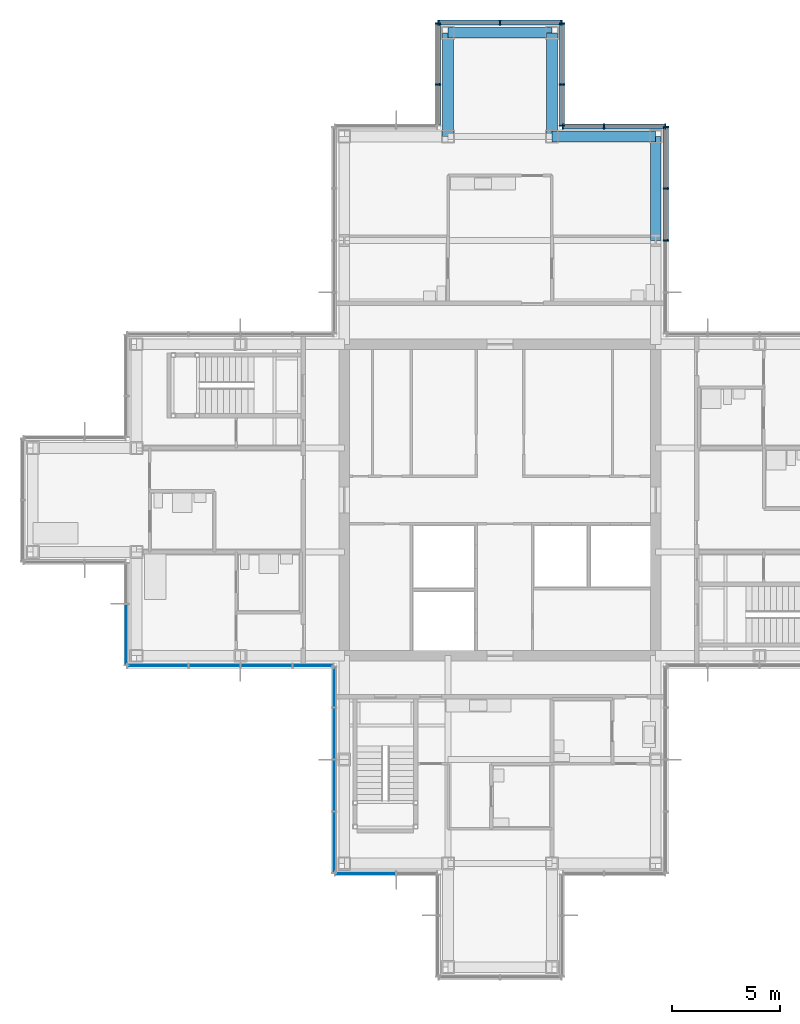
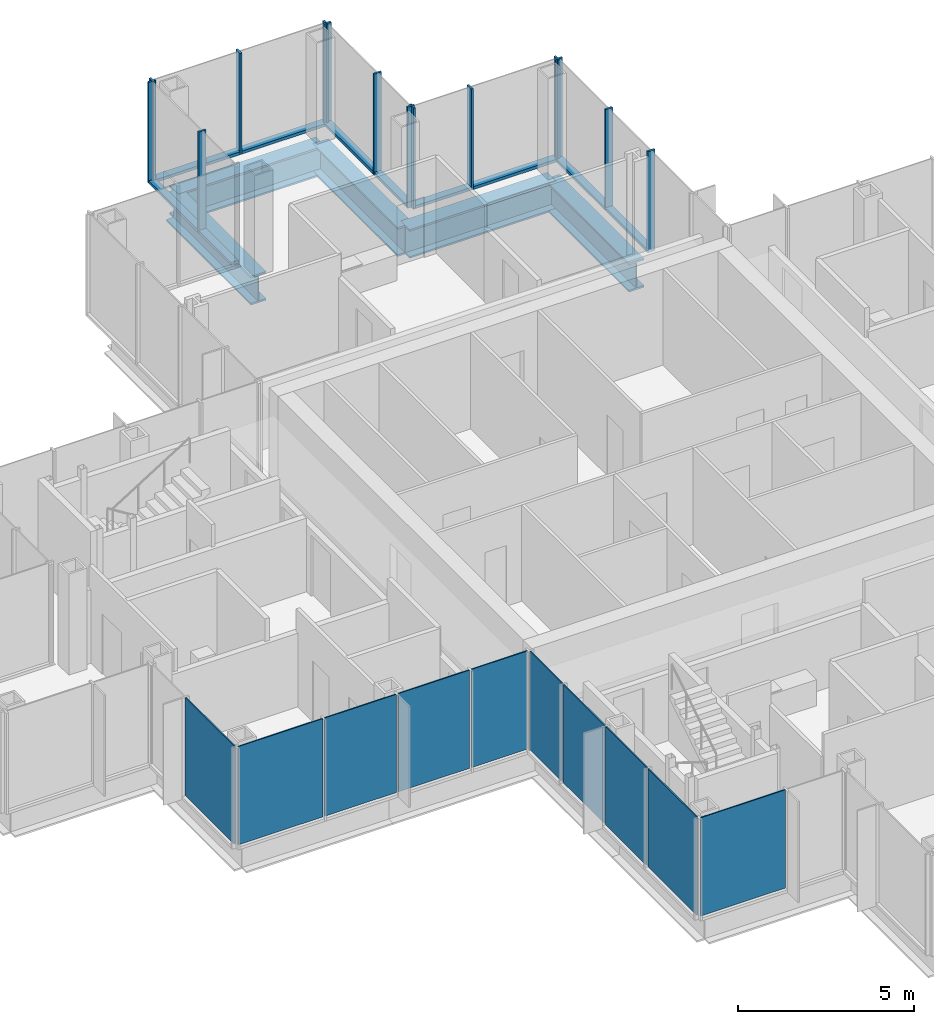
# One storey, part 9 of 17: 24 members, 10 plates, 5 beams, 9 elements without a shape of their own.
"""IFC4 building model written with IfcOpenShell, lengths in metres."""

from ifc_helpers import new_model, si_unit, direction, frame, origin, origin_2d, place, context, subcontext, project, spatial, rectangle, i_section, extrude, material, layer, layer_set, material_profile, profile_set, type_object, element, aggregate, save


model = new_model("IFC4")

# Units and contexts
model_context = context("Model", 3, precision=1e-05, world=origin(), true_north=direction((0.0, 1.0)))
body_context = subcontext(model_context, "Body", "Model", "MODEL_VIEW")
ifc_project = project(units=[si_unit("LENGTHUNIT", "METRE"), si_unit("AREAUNIT", "SQUARE_METRE"), si_unit("VOLUMEUNIT", "CUBIC_METRE"), si_unit("PLANEANGLEUNIT", "RADIAN"), si_unit("MASSUNIT", "GRAM", prefix="KILO")], contexts=[model_context])

# Site, building, storey
site_placement = place(None, origin())
site = spatial("IfcSite", under=ifc_project, at=site_placement, CompositionType="ELEMENT")
building_placement = place(site_placement, origin())
building = spatial("IfcBuilding", under=site, at=building_placement, Name="Kvirike Care Tower", CompositionType="ELEMENT")
storey_placement = place(building_placement, frame((0.0, 0.0, 162.0)))
storey = spatial("IfcBuildingStorey", under=building, at=storey_placement, Name="L44", CompositionType="ELEMENT", Elevation=162.0)

# Curtain wall, members
ifc_material_1 = material(Name="Anodised aluminium stick system", Category="aluminium")
curtain_wall_type = type_object("IfcCurtainWallType", Name="CW-C STICK CURTAIN WALL", PredefinedType="NOTDEFINED", material=ifc_material_1)
curtain_wall_1_placement = place(storey_placement, origin())
curtain_wall_1 = element("IfcCurtainWall", 1, at=curtain_wall_1_placement, inside=storey, type_object=curtain_wall_type, Name="Curtain wall L44 face 8", PredefinedType="NOTDEFINED")
ifc_material_2 = material(Name="Bronze anodised aluminium mullion", Category="aluminium")
ifc_material_profile_1 = material_profile(ifc_material_2, rectangle(XDim=0.06494140625, YDim=0.239990234375, at=origin_2d()), Name="CW-C MULLION 65x240")
ifc_profile_set_1 = profile_set([ifc_material_profile_1], Name="Bronze anodised aluminium mullion")
member_type_1 = type_object("IfcMemberType", Name="CW-C MULLION 65x240", PredefinedType="MULLION", material=ifc_profile_set_1)
member_1_placement = place(storey_placement, frame((29.27001953125, 48.0, 0.0), z_axis=(0.0, 0.0, 1.0), x_axis=(0.0, 1.0, 0.0)))
member_1 = element("IfcMember", 2, at=member_1_placement, type_object=member_type_1, Name="CW-C mullion L44 face 8.3", PredefinedType="MULLION", context=body_context, shape_type="SweptSolid", body=[
    extrude(rectangle(XDim=0.06494140625, YDim=0.239990234375, at=origin_2d()), origin(), (0.0, 0.0, 1.0), 3.5),
])
member_2_placement = place(storey_placement, frame((29.27001953125, 50.39990234375, 0.0), z_axis=(0.0, 0.0, 1.0), x_axis=(0.0, 1.0, 0.0)))
member_2 = element("IfcMember", 3, at=member_2_placement, type_object=member_type_1, Name="CW-C mullion L44 face 8.4", PredefinedType="MULLION", context=body_context, shape_type="SweptSolid", body=[
    extrude(rectangle(XDim=0.06494140625, YDim=0.239990234375, at=origin_2d()), origin(), (0.0, 0.0, 1.0), 3.5),
])
member_3_placement = place(storey_placement, frame((29.27001953125, 53.237548828125, 0.0), z_axis=(0.0, 0.0, 1.0), x_axis=(0.0, 1.0, 0.0)))
member_3 = element("IfcMember", 4, at=member_3_placement, type_object=member_type_1, Name="CW-C mullion L44 face 8.5", PredefinedType="MULLION", context=body_context, shape_type="SweptSolid", body=[
    extrude(rectangle(XDim=0.06494140625, YDim=0.239990234375, at=origin_2d()), origin(), (0.0, 0.0, 1.0), 3.5),
])

curtain_wall_2_placement = place(storey_placement, origin())
curtain_wall_2 = element("IfcCurtainWall", 5, at=curtain_wall_2_placement, inside=storey, type_object=curtain_wall_type, Name="Curtain wall L44 face 9", PredefinedType="NOTDEFINED")
member_4_placement = place(storey_placement, frame((29.237548828125, 53.27001953125, 0.0), z_axis=(0.0, 0.0, 1.0), x_axis=(-1.0, 0.0, 0.0)))
member_4 = element("IfcMember", 6, at=member_4_placement, type_object=member_type_1, Name="CW-C mullion L44 face 9.1", PredefinedType="MULLION", context=body_context, shape_type="SweptSolid", body=[
    extrude(rectangle(XDim=0.06494140625, YDim=0.239990234375, at=origin_2d()), origin(), (0.0, 0.0, 1.0), 3.5),
])
member_5_placement = place(storey_placement, frame((26.39990234375, 53.27001953125, 0.0), z_axis=(0.0, 0.0, 1.0), x_axis=(-1.0, 0.0, 0.0)))
member_5 = element("IfcMember", 7, at=member_5_placement, type_object=member_type_1, Name="CW-C mullion L44 face 9.2", PredefinedType="MULLION", context=body_context, shape_type="SweptSolid", body=[
    extrude(rectangle(XDim=0.06494140625, YDim=0.239990234375, at=origin_2d()), origin(), (0.0, 0.0, 1.0), 3.5),
])
member_6_placement = place(storey_placement, frame((24.50244140625, 53.27001953125, 0.0), z_axis=(0.0, 0.0, 1.0), x_axis=(-1.0, 0.0, 0.0)))
member_6 = element("IfcMember", 8, at=member_6_placement, type_object=member_type_1, Name="CW-C mullion L44 face 9.3", PredefinedType="MULLION", context=body_context, shape_type="SweptSolid", body=[
    extrude(rectangle(XDim=0.06494140625, YDim=0.239990234375, at=origin_2d()), origin(), (0.0, 0.0, 1.0), 3.5),
])

curtain_wall_3_placement = place(storey_placement, origin())
curtain_wall_3 = element("IfcCurtainWall", 9, at=curtain_wall_3_placement, inside=storey, type_object=curtain_wall_type, Name="Curtain wall L44 face 10", PredefinedType="NOTDEFINED")
member_7_placement = place(storey_placement, frame((24.469970703125, 53.302490234375, 0.0), z_axis=(0.0, 0.0, 1.0), x_axis=(0.0, 1.0, 0.0)))
member_7 = element("IfcMember", 10, at=member_7_placement, type_object=member_type_1, Name="CW-C mullion L44 face 10.1", PredefinedType="MULLION", context=body_context, shape_type="SweptSolid", body=[
    extrude(rectangle(XDim=0.06494140625, YDim=0.239990234375, at=origin_2d()), origin(), (0.0, 0.0, 1.0), 3.5),
])
member_8_placement = place(storey_placement, frame((24.469970703125, 55.199951171875, 0.0), z_axis=(0.0, 0.0, 1.0), x_axis=(0.0, 1.0, 0.0)))
member_8 = element("IfcMember", 11, at=member_8_placement, type_object=member_type_1, Name="CW-C mullion L44 face 10.2", PredefinedType="MULLION", context=body_context, shape_type="SweptSolid", body=[
    extrude(rectangle(XDim=0.06494140625, YDim=0.239990234375, at=origin_2d()), origin(), (0.0, 0.0, 1.0), 3.5),
])
member_9_placement = place(storey_placement, frame((24.469970703125, 58.03759765625, 0.0), z_axis=(0.0, 0.0, 1.0), x_axis=(0.0, 1.0, 0.0)))
member_9 = element("IfcMember", 12, at=member_9_placement, type_object=member_type_1, Name="CW-C mullion L44 face 10.3", PredefinedType="MULLION", context=body_context, shape_type="SweptSolid", body=[
    extrude(rectangle(XDim=0.06494140625, YDim=0.239990234375, at=origin_2d()), origin(), (0.0, 0.0, 1.0), 3.5),
])

curtain_wall_4_placement = place(storey_placement, origin())
curtain_wall_4 = element("IfcCurtainWall", 13, at=curtain_wall_4_placement, inside=storey, type_object=curtain_wall_type, Name="Curtain wall L44 face 11", PredefinedType="NOTDEFINED")
member_10_placement = place(storey_placement, frame((24.4375, 58.070068359375, 0.0), z_axis=(0.0, 0.0, 1.0), x_axis=(-1.0, 0.0, 0.0)))
member_10 = element("IfcMember", 14, at=member_10_placement, type_object=member_type_1, Name="CW-C mullion L44 face 11.1", PredefinedType="MULLION", context=body_context, shape_type="SweptSolid", body=[
    extrude(rectangle(XDim=0.06494140625, YDim=0.239990234375, at=origin_2d()), origin(), (0.0, 0.0, 1.0), 3.5),
])
member_11_placement = place(storey_placement, frame((21.60009765625, 58.070068359375, 0.0), z_axis=(0.0, 0.0, 1.0), x_axis=(-1.0, 0.0, 0.0)))
member_11 = element("IfcMember", 15, at=member_11_placement, type_object=member_type_1, Name="CW-C mullion L44 face 11.2", PredefinedType="MULLION", context=body_context, shape_type="SweptSolid", body=[
    extrude(rectangle(XDim=0.06494140625, YDim=0.239990234375, at=origin_2d()), origin(), (0.0, 0.0, 1.0), 3.5),
])
member_12_placement = place(storey_placement, frame((18.762451171875, 58.070068359375, 0.0), z_axis=(0.0, 0.0, 1.0), x_axis=(-1.0, 0.0, 0.0)))
member_12 = element("IfcMember", 16, at=member_12_placement, type_object=member_type_1, Name="CW-C mullion L44 face 11.3", PredefinedType="MULLION", context=body_context, shape_type="SweptSolid", body=[
    extrude(rectangle(XDim=0.06494140625, YDim=0.239990234375, at=origin_2d()), origin(), (0.0, 0.0, 1.0), 3.5),
])

curtain_wall_5_placement = place(storey_placement, origin())
curtain_wall_5 = element("IfcCurtainWall", 17, at=curtain_wall_5_placement, inside=storey, type_object=curtain_wall_type, Name="Curtain wall L44 face 12", PredefinedType="NOTDEFINED")
member_13_placement = place(storey_placement, frame((18.72998046875, 58.03759765625, 0.0), z_axis=(0.0, 0.0, 1.0), x_axis=(0.0, -1.0, 0.0)))
member_13 = element("IfcMember", 18, at=member_13_placement, type_object=member_type_1, Name="CW-C mullion L44 face 12.1", PredefinedType="MULLION", context=body_context, shape_type="SweptSolid", body=[
    extrude(rectangle(XDim=0.06494140625, YDim=0.239990234375, at=origin_2d()), origin(), (0.0, 0.0, 1.0), 3.5),
])
member_14_placement = place(storey_placement, frame((18.72998046875, 55.199951171875, 0.0), z_axis=(0.0, 0.0, 1.0), x_axis=(0.0, -1.0, 0.0)))
member_14 = element("IfcMember", 19, at=member_14_placement, type_object=member_type_1, Name="CW-C mullion L44 face 12.2", PredefinedType="MULLION", context=body_context, shape_type="SweptSolid", body=[
    extrude(rectangle(XDim=0.06494140625, YDim=0.239990234375, at=origin_2d()), origin(), (0.0, 0.0, 1.0), 3.5),
])

# Member
ifc_material_3 = material(Name="Bronze anodised aluminium transom", Category="aluminium")
ifc_material_profile_2 = material_profile(ifc_material_3, rectangle(XDim=0.239990234375, YDim=0.10009765625, at=origin_2d()), Name="CW-C TRANSOM 240x100")
ifc_profile_set_2 = profile_set([ifc_material_profile_2], Name="Bronze anodised aluminium transom")
member_type_2 = type_object("IfcMemberType", Name="CW-C TRANSOM 240x100", PredefinedType="USERDEFINED", material=ifc_profile_set_2)
member_15_placement = place(storey_placement, frame((29.27001953125, 48.032470703125, 0.050048828125), z_axis=(0.0, 1.0, 0.0), x_axis=(-1.0, 0.0, 0.0)))
member_15 = element("IfcMember", 20, at=member_15_placement, type_object=member_type_2, Name="CW-C sill transom L44 face 8.3", ObjectType="TRANSOM", PredefinedType="USERDEFINED", context=body_context, shape_type="SweptSolid", body=[
    extrude(rectangle(XDim=0.239990234375, YDim=0.10009765625, at=origin_2d()), origin(), (0.0, 0.0, 1.0), 2.3349609375),
])

member_16_placement = place(storey_placement, frame((29.27001953125, 50.4326171875, 0.050048828125), z_axis=(0.0, 1.0, 0.0), x_axis=(-1.0, 0.0, 0.0)))
member_16 = element("IfcMember", 21, at=member_16_placement, type_object=member_type_2, Name="CW-C sill transom L44 face 8.4", ObjectType="TRANSOM", PredefinedType="USERDEFINED", context=body_context, shape_type="SweptSolid", body=[
    extrude(rectangle(XDim=0.239990234375, YDim=0.10009765625, at=origin_2d()), origin(), (0.0, 0.0, 1.0), 2.7724609375),
])

aggregate(curtain_wall_1, [member_1, member_2, member_3, member_15, member_16])

member_17_placement = place(storey_placement, frame((29.205078125, 53.27001953125, 0.050048828125), z_axis=(-1.0, 0.0, 0.0), x_axis=(0.0, -1.0, 0.0)))
member_17 = element("IfcMember", 22, at=member_17_placement, type_object=member_type_2, Name="CW-C sill transom L44 face 9.1", ObjectType="TRANSOM", PredefinedType="USERDEFINED", context=body_context, shape_type="SweptSolid", body=[
    extrude(rectangle(XDim=0.239990234375, YDim=0.10009765625, at=origin_2d()), origin(), (0.0, 0.0, 1.0), 2.7724609375),
])

member_18_placement = place(storey_placement, frame((26.367431640625, 53.27001953125, 0.050048828125), z_axis=(-1.0, 0.0, 0.0), x_axis=(0.0, -1.0, 0.0)))
member_18 = element("IfcMember", 23, at=member_18_placement, type_object=member_type_2, Name="CW-C sill transom L44 face 9.2", ObjectType="TRANSOM", PredefinedType="USERDEFINED", context=body_context, shape_type="SweptSolid", body=[
    extrude(rectangle(XDim=0.239990234375, YDim=0.10009765625, at=origin_2d()), origin(), (0.0, 0.0, 1.0), 1.83251953125),
])

aggregate(curtain_wall_2, [member_4, member_5, member_6, member_17, member_18])

member_19_placement = place(storey_placement, frame((24.469970703125, 53.3349609375, 0.050048828125), z_axis=(0.0, 1.0, 0.0), x_axis=(-1.0, 0.0, 0.0)))
member_19 = element("IfcMember", 24, at=member_19_placement, type_object=member_type_2, Name="CW-C sill transom L44 face 10.1", ObjectType="TRANSOM", PredefinedType="USERDEFINED", context=body_context, shape_type="SweptSolid", body=[
    extrude(rectangle(XDim=0.239990234375, YDim=0.10009765625, at=origin_2d()), origin(), (0.0, 0.0, 1.0), 1.83251953125),
])

member_20_placement = place(storey_placement, frame((24.469970703125, 55.232421875, 0.050048828125), z_axis=(0.0, 1.0, 0.0), x_axis=(-1.0, 0.0, 0.0)))
member_20 = element("IfcMember", 25, at=member_20_placement, type_object=member_type_2, Name="CW-C sill transom L44 face 10.2", ObjectType="TRANSOM", PredefinedType="USERDEFINED", context=body_context, shape_type="SweptSolid", body=[
    extrude(rectangle(XDim=0.239990234375, YDim=0.10009765625, at=origin_2d()), origin(), (0.0, 0.0, 1.0), 2.7724609375),
])

aggregate(curtain_wall_3, [member_7, member_8, member_9, member_19, member_20])

member_21_placement = place(storey_placement, frame((24.405029296875, 58.070068359375, 0.050048828125), z_axis=(-1.0, 0.0, 0.0), x_axis=(0.0, -1.0, 0.0)))
member_21 = element("IfcMember", 26, at=member_21_placement, type_object=member_type_2, Name="CW-C sill transom L44 face 11.1", ObjectType="TRANSOM", PredefinedType="USERDEFINED", context=body_context, shape_type="SweptSolid", body=[
    extrude(rectangle(XDim=0.239990234375, YDim=0.10009765625, at=origin_2d()), origin(), (0.0, 0.0, 1.0), 2.7724609375),
])

member_22_placement = place(storey_placement, frame((21.5673828125, 58.070068359375, 0.050048828125), z_axis=(-1.0, 0.0, 0.0), x_axis=(0.0, -1.0, 0.0)))
member_22 = element("IfcMember", 27, at=member_22_placement, type_object=member_type_2, Name="CW-C sill transom L44 face 11.2", ObjectType="TRANSOM", PredefinedType="USERDEFINED", context=body_context, shape_type="SweptSolid", body=[
    extrude(rectangle(XDim=0.239990234375, YDim=0.10009765625, at=origin_2d()), origin(), (0.0, 0.0, 1.0), 2.7724609375),
])

aggregate(curtain_wall_4, [member_10, member_11, member_12, member_21, member_22])

member_23_placement = place(storey_placement, frame((18.72998046875, 58.0048828125, 0.050048828125), z_axis=(0.0, -1.0, 0.0), x_axis=(1.0, 0.0, 0.0)))
member_23 = element("IfcMember", 28, at=member_23_placement, type_object=member_type_2, Name="CW-C sill transom L44 face 12.1", ObjectType="TRANSOM", PredefinedType="USERDEFINED", context=body_context, shape_type="SweptSolid", body=[
    extrude(rectangle(XDim=0.239990234375, YDim=0.10009765625, at=origin_2d()), origin(), (0.0, 0.0, 1.0), 2.7724609375),
])

member_24_placement = place(storey_placement, frame((18.72998046875, 55.16748046875, 0.050048828125), z_axis=(0.0, -1.0, 0.0), x_axis=(1.0, 0.0, 0.0)))
member_24 = element("IfcMember", 29, at=member_24_placement, type_object=member_type_2, Name="CW-C sill transom L44 face 12.2", ObjectType="TRANSOM", PredefinedType="USERDEFINED", context=body_context, shape_type="SweptSolid", body=[
    extrude(rectangle(XDim=0.239990234375, YDim=0.10009765625, at=origin_2d()), origin(), (0.0, 0.0, 1.0), 1.83251953125),
])

aggregate(curtain_wall_5, [member_13, member_14, member_23, member_24])

# Beams
ifc_material_4 = material(Name="Steel S355", Category="steel")
ifc_material_profile_3 = material_profile(ifc_material_4, i_section(OverallWidth=0.5, OverallDepth=1.0, WebThickness=0.030029296875, FlangeThickness=0.06005859375, at=origin_2d()), Name="PG 1000x500x30x60")
ifc_profile_set_3 = profile_set([ifc_material_profile_3], Name="Steel S355")
beam_type = type_object("IfcBeamType", Name="SPANDREL PG 1000x500x30x60", PredefinedType="SPANDREL", material=ifc_profile_set_3)
for number, where, z_axis, x_axis, name in (
    (30, (24.0, 52.800048828125, -0.669921875), (1.0, 0.0, 0.0), (0.0, 1.0, 0.0), "Spandrel M8-M9 L44"),
    (31, (19.199951171875, 57.60009765625, -0.669921875), (1.0, 0.0, 0.0), (0.0, 1.0, 0.0), "Spandrel N7-N8 L44"),
    (32, (19.199951171875, 52.800048828125, -0.669921875), (0.0, 1.0, 0.0), (-1.0, 0.0, 0.0), "Spandrel M7-N7 L44"),
    (33, (24.0, 52.800048828125, -0.669921875), (0.0, 1.0, 0.0), (-1.0, 0.0, 0.0), "Spandrel M8-N8 L44"),
    (34, (28.800048828125, 48.0, -0.669921875), (0.0, 1.0, 0.0), (-1.0, 0.0, 0.0), "Spandrel L9-M9 L44"),
):
    element("IfcBeam", number, at=place(storey_placement, frame(where, z_axis=z_axis, x_axis=x_axis)), inside=storey, type_object=beam_type, Name=name, PredefinedType="SPANDREL", context=body_context, shape_type="SweptSolid", body=[
        extrude(i_section(OverallWidth=0.5, OverallDepth=1.0, WebThickness=0.030029296875, FlangeThickness=0.06005859375, at=origin_2d()), origin(), (0.0, 0.0, 1.0), 4.800048828125),
    ])

# Curtain wall, plate
curtain_wall_6_placement = place(storey_placement, origin())
curtain_wall_6 = element("IfcCurtainWall", 35, at=curtain_wall_6_placement, inside=storey, type_object=curtain_wall_type, Name="Curtain wall L44 face 20", PredefinedType="NOTDEFINED")
ifc_material_5 = material(Name="Tinted double glazed unit", Category="glass")
ifc_layer = layer(ifc_material_5, 0.0400390625)
ifc_layer_set = layer_set([ifc_layer], Name="TINTED VISION PANEL 40")
plate_type = type_object("IfcPlateType", Name="TINTED VISION PANEL 40", PredefinedType="CURTAIN_PANEL", material=ifc_layer_set)
plate_1_placement = place(storey_placement, frame((4.330078125, 29.78125, 0.10009765625), z_axis=(0.0, 0.0, 1.0), x_axis=(0.0, -1.0, 0.0)))
plate_1 = element("IfcPlate", 36, at=plate_1_placement, type_object=plate_type, Name="CW-C panel L44 face 20.2", PredefinedType="CURTAIN_PANEL", context=body_context, shape_type="SweptSolid", body=[
    extrude(rectangle(XDim=2.7724609375, YDim=0.0400390625, at=origin_2d()), origin(), (0.0, 0.0, 1.0), 3.39990234375),
])
aggregate(curtain_wall_6, [plate_1])

# Curtain wall, plates
curtain_wall_7_placement = place(storey_placement, origin())
curtain_wall_7 = element("IfcCurtainWall", 37, at=curtain_wall_7_placement, inside=storey, type_object=curtain_wall_type, Name="Curtain wall L44 face 21", PredefinedType="NOTDEFINED")
plate_2_placement = place(storey_placement, frame((5.78125, 28.330078125, 0.10009765625), z_axis=(0.0, 0.0, 1.0), x_axis=(1.0, 0.0, 0.0)))
plate_2 = element("IfcPlate", 38, at=plate_2_placement, type_object=plate_type, Name="CW-C panel L44 face 21.1", PredefinedType="CURTAIN_PANEL", context=body_context, shape_type="SweptSolid", body=[
    extrude(rectangle(XDim=2.7724609375, YDim=0.0400390625, at=origin_2d()), origin(), (0.0, 0.0, 1.0), 3.39990234375),
])
plate_3_placement = place(storey_placement, frame((8.39990234375, 28.330078125, 0.10009765625), z_axis=(0.0, 0.0, 1.0), x_axis=(1.0, 0.0, 0.0)))
plate_3 = element("IfcPlate", 39, at=plate_3_placement, type_object=plate_type, Name="CW-C panel L44 face 21.2", PredefinedType="CURTAIN_PANEL", context=body_context, shape_type="SweptSolid", body=[
    extrude(rectangle(XDim=2.3349609375, YDim=0.0400390625, at=origin_2d()), origin(), (0.0, 0.0, 1.0), 3.39990234375),
])
plate_4_placement = place(storey_placement, frame((10.800048828125, 28.330078125, 0.10009765625), z_axis=(0.0, 0.0, 1.0), x_axis=(1.0, 0.0, 0.0)))
plate_4 = element("IfcPlate", 40, at=plate_4_placement, type_object=plate_type, Name="CW-C panel L44 face 21.3", PredefinedType="CURTAIN_PANEL", context=body_context, shape_type="SweptSolid", body=[
    extrude(rectangle(XDim=2.3349609375, YDim=0.0400390625, at=origin_2d()), origin(), (0.0, 0.0, 1.0), 3.39990234375),
])
plate_5_placement = place(storey_placement, frame((12.94873046875, 28.330078125, 0.10009765625), z_axis=(0.0, 0.0, 1.0), x_axis=(1.0, 0.0, 0.0)))
plate_5 = element("IfcPlate", 41, at=plate_5_placement, type_object=plate_type, Name="CW-C panel L44 face 21.4", PredefinedType="CURTAIN_PANEL", context=body_context, shape_type="SweptSolid", body=[
    extrude(rectangle(XDim=1.83251953125, YDim=0.0400390625, at=origin_2d()), origin(), (0.0, 0.0, 1.0), 3.39990234375),
])
aggregate(curtain_wall_7, [plate_2, plate_3, plate_4, plate_5])

curtain_wall_8_placement = place(storey_placement, origin())
curtain_wall_8 = element("IfcCurtainWall", 42, at=curtain_wall_8_placement, inside=storey, type_object=curtain_wall_type, Name="Curtain wall L44 face 22", PredefinedType="NOTDEFINED")
plate_6_placement = place(storey_placement, frame((13.929931640625, 27.3486328125, 0.10009765625), z_axis=(0.0, 0.0, 1.0), x_axis=(0.0, -1.0, 0.0)))
plate_6 = element("IfcPlate", 43, at=plate_6_placement, type_object=plate_type, Name="CW-C panel L44 face 22.1", PredefinedType="CURTAIN_PANEL", context=body_context, shape_type="SweptSolid", body=[
    extrude(rectangle(XDim=1.83251953125, YDim=0.0400390625, at=origin_2d()), origin(), (0.0, 0.0, 1.0), 3.39990234375),
])
plate_7_placement = place(storey_placement, frame((13.929931640625, 25.199951171875, 0.10009765625), z_axis=(0.0, 0.0, 1.0), x_axis=(0.0, -1.0, 0.0)))
plate_7 = element("IfcPlate", 44, at=plate_7_placement, type_object=plate_type, Name="CW-C panel L44 face 22.2", PredefinedType="CURTAIN_PANEL", context=body_context, shape_type="SweptSolid", body=[
    extrude(rectangle(XDim=2.3349609375, YDim=0.0400390625, at=origin_2d()), origin(), (0.0, 0.0, 1.0), 3.39990234375),
])
plate_8_placement = place(storey_placement, frame((13.929931640625, 22.800048828125, 0.10009765625), z_axis=(0.0, 0.0, 1.0), x_axis=(0.0, -1.0, 0.0)))
plate_8 = element("IfcPlate", 45, at=plate_8_placement, type_object=plate_type, Name="CW-C panel L44 face 22.3", PredefinedType="CURTAIN_PANEL", context=body_context, shape_type="SweptSolid", body=[
    extrude(rectangle(XDim=2.3349609375, YDim=0.0400390625, at=origin_2d()), origin(), (0.0, 0.0, 1.0), 3.39990234375),
])
plate_9_placement = place(storey_placement, frame((13.929931640625, 20.18115234375, 0.10009765625), z_axis=(0.0, 0.0, 1.0), x_axis=(0.0, -1.0, 0.0)))
plate_9 = element("IfcPlate", 46, at=plate_9_placement, type_object=plate_type, Name="CW-C panel L44 face 22.4", PredefinedType="CURTAIN_PANEL", context=body_context, shape_type="SweptSolid", body=[
    extrude(rectangle(XDim=2.7724609375, YDim=0.0400390625, at=origin_2d()), origin(), (0.0, 0.0, 1.0), 3.39990234375),
])
aggregate(curtain_wall_8, [plate_6, plate_7, plate_8, plate_9])

# Curtain wall, plate
curtain_wall_9_placement = place(storey_placement, origin())
curtain_wall_9 = element("IfcCurtainWall", 47, at=curtain_wall_9_placement, inside=storey, type_object=curtain_wall_type, Name="Curtain wall L44 face 23", PredefinedType="NOTDEFINED")
plate_10_placement = place(storey_placement, frame((15.38134765625, 18.72998046875, 0.10009765625), z_axis=(0.0, 0.0, 1.0), x_axis=(1.0, 0.0, 0.0)))
plate_10 = element("IfcPlate", 48, at=plate_10_placement, type_object=plate_type, Name="CW-C panel L44 face 23.1", PredefinedType="CURTAIN_PANEL", context=body_context, shape_type="SweptSolid", body=[
    extrude(rectangle(XDim=2.7724609375, YDim=0.0400390625, at=origin_2d()), origin(), (0.0, 0.0, 1.0), 3.39990234375),
])
aggregate(curtain_wall_9, [plate_10])

save(model, "model.ifc")
